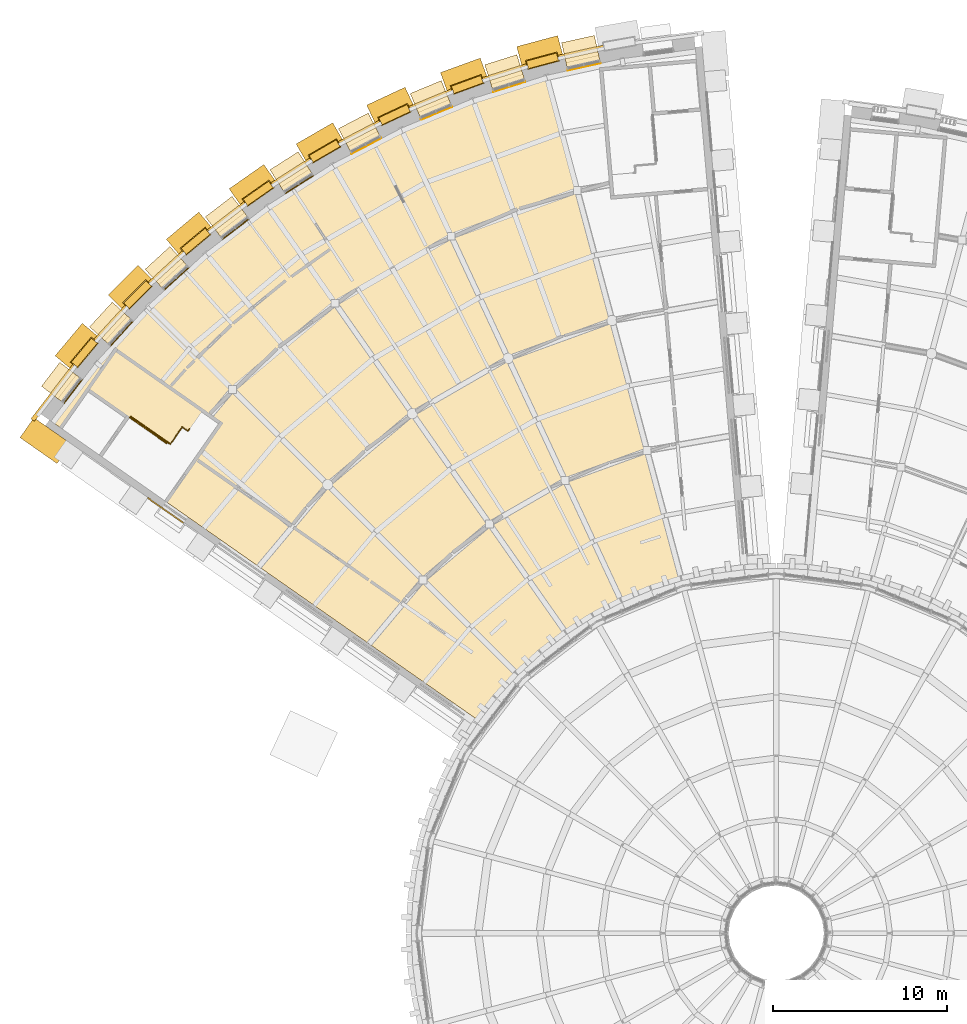
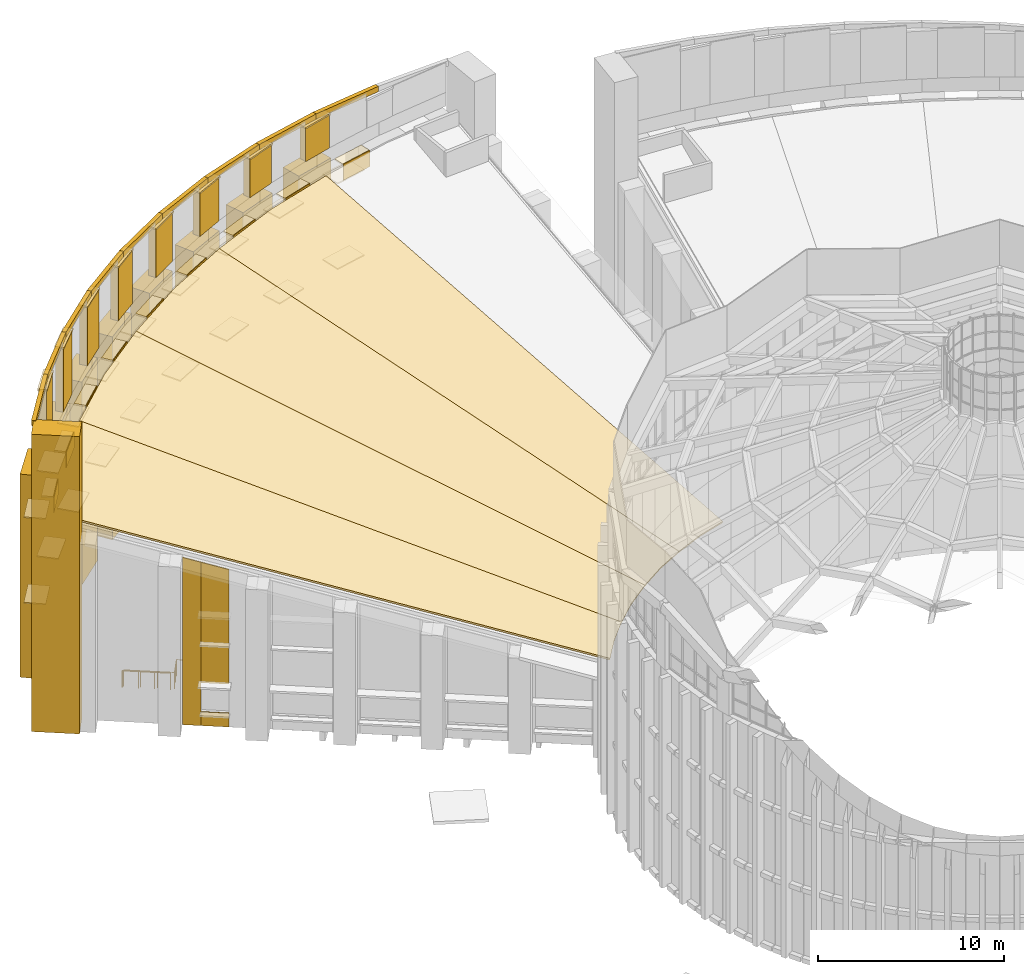
# One storey, part 74 of 82: 77 coverings, 2 railings.
"""IFC4 building model written with IfcOpenShell, lengths in metres."""

from ifc_helpers import new_model, si_unit, direction, frame, origin, origin_2d, place, context, subcontext, project, spatial, polyline, rectangle, circle, outline, extrude, material, layer, layer_set, type_object, element, save


model = new_model("IFC4")

# Units and contexts
model_context = context("Model", 3, precision=1e-05, world=origin(), true_north=direction((0.0, 1.0)))
body_context = subcontext(model_context, "Body", "Model", "MODEL_VIEW")
ifc_project = project(units=[si_unit("LENGTHUNIT", "METRE"), si_unit("AREAUNIT", "SQUARE_METRE"), si_unit("VOLUMEUNIT", "CUBIC_METRE"), si_unit("PLANEANGLEUNIT", "RADIAN"), si_unit("MASSUNIT", "GRAM", prefix="KILO")], contexts=[model_context])

# Site, building, storey
site_placement = place(None, origin())
site = spatial("IfcSite", under=ifc_project, at=site_placement, CompositionType="ELEMENT")
building_placement = place(site_placement, origin())
building = spatial("IfcBuilding", under=site, at=building_placement, Name="Volute Hill Aquarium", CompositionType="ELEMENT")
storey_placement = place(building_placement, frame((0.0, 0.0, 13.800048828125)))
storey = spatial("IfcBuildingStorey", under=building, at=storey_placement, Name="L04", CompositionType="ELEMENT", Elevation=13.800048828125)

# Coverings
ifc_material_1 = material(Name="Precast concrete C40/50", Category="concrete")
covering_type_1 = type_object("IfcCoveringType", Name="Crown coping beam precast concrete C40/50 250x350", PredefinedType="CLADDING", material=ifc_material_1)
covering_1_placement = place(storey_placement, frame((-9.051513671875, 51.30126953125, 16.14990234375), z_axis=(-0.216434350606, 0.976297173958, 0.0), x_axis=(-0.973719670399, -0.215862946403, 0.072616746339)))
element("IfcCovering", 1, at=covering_1_placement, inside=storey, type_object=covering_type_1, Name="Crown coping beam PCB S6 b01", PredefinedType="CLADDING", context=body_context, shape_type="SweptSolid", body=[
    extrude(outline(polyline([(0.0, 0.0), (4.545482159985844, 0.0), (4.570887383985781, 0.348929874027268), (0.025422952697773744, 0.34917337010125776), (0.0, 0.0)])), origin(), (0.0, 0.0, -1.0), 0.25),
])
covering_2_placement = place(storey_placement, frame((-13.488037109375, 50.317138671875, 16.47998046875), z_axis=(-0.300693219018, 0.953720917269, 0.0), x_axis=(-0.951203362836, -0.299899473665, 0.072611763681)))
element("IfcCovering", 2, at=covering_2_placement, inside=storey, type_object=covering_type_1, Name="Crown coping beam PCB S6 b02", PredefinedType="CLADDING", context=body_context, shape_type="SweptSolid", body=[
    extrude(outline(polyline([(0.0, 0.0), (4.545794073396283, 5.551115123125783e-17), (4.571197554195816, 0.3489300009435128), (0.025403480799534067, 0.3489300009435128), (0.0, 0.0)])), origin(), (0.0, 0.0, -1.0), 0.25),
])
covering_3_placement = place(storey_placement, frame((-17.822265625, 48.9501953125, 16.81005859375), z_axis=(-0.382718003155, 0.923865212063, 0.0), x_axis=(-0.921429899992, -0.381709157102, 0.072560724813)))
element("IfcCovering", 3, at=covering_3_placement, inside=storey, type_object=covering_type_1, Name="Crown coping beam PCB S6 b03", PredefinedType="CLADDING", context=body_context, shape_type="SweptSolid", body=[
    extrude(outline(polyline([(0.0, 0.0), (4.545626924562355, 0.0), (4.571030264255131, 0.34917479755016195), (0.025385624672069843, 0.34893130048074067), (0.0, 0.0)])), origin(), (0.0, 0.0, -1.0), 0.25),
])
covering_4_placement = place(storey_placement, frame((-22.0205078125, 47.21044921875, 17.139892578125), z_axis=(-0.461757914823, 0.887005991016, 0.0), x_axis=(-0.884664523762, -0.460538992913, 0.072612095442)))
element("IfcCovering", 4, at=covering_4_placement, inside=storey, type_object=covering_type_1, Name="Crown coping beam PCB S6 b04", PredefinedType="CLADDING", context=body_context, shape_type="SweptSolid", body=[
    extrude(outline(polyline([(0.0, 0.0), (4.545773303873624, 0.0), (4.571194628303379, 0.3491734886499551), (0.025421324429755858, 0.34917348864995507), (0.0, 0.0)])), origin(), (0.0, 0.0, -1.0), 0.25),
])
covering_5_placement = place(storey_placement, frame((-26.051513671875, 45.111572265625, 17.469970703125), z_axis=(-0.537269177916, 0.843410831364, 0.0), x_axis=(-0.841184324254, -0.535850849386, 0.072614047145)))
element("IfcCovering", 5, at=covering_5_placement, inside=storey, type_object=covering_type_1, Name="Crown coping beam PCB S6 b05", PredefinedType="CLADDING", context=body_context, shape_type="SweptSolid", body=[
    extrude(outline(polyline([(0.0, 0.0), (4.545651123662053, 5.551115123125783e-17), (4.57105540333962, 0.34892994278112066), (0.02542200771642101, 0.3491734389030893), (0.0, 0.0)])), origin(), (0.0, 0.0, -1.0), 0.25),
])
covering_6_placement = place(storey_placement, frame((-29.88427734375, 42.66943359375, 17.800048828125), z_axis=(-0.60878647032, 0.79333412479, 0.0), x_axis=(-0.791242875406, -0.607181693352, 0.072561032085)))
element("IfcCovering", 6, at=covering_6_placement, inside=storey, type_object=covering_type_1, Name="Crown coping beam PCB S6 b06", PredefinedType="CLADDING", context=body_context, shape_type="SweptSolid", body=[
    extrude(outline(polyline([(0.0, 0.0), (4.545607675335516, 0.0), (4.57101112260349, 0.34917478972378063), (0.02538573217225082, 0.34893129265981704), (0.0, 0.0)])), origin(), (0.0, 0.0, -1.0), 0.25),
])
covering_7_placement = place(storey_placement, frame((-33.4892578125, 39.90234375, 18.1298828125), z_axis=(-0.675605133066, 0.737263659876, 0.0), x_axis=(-0.735317407392, -0.673821648758, 0.072613332466)))
element("IfcCovering", 7, at=covering_7_placement, inside=storey, type_object=covering_type_1, Name="Crown coping beam PCB S6 b07", PredefinedType="CLADDING", context=body_context, shape_type="SweptSolid", body=[
    extrude(outline(polyline([(0.0, 0.0), (4.545695863137572, 0.0), (4.571117620646472, 0.34917345711966974), (0.02542175750890029, 0.34917345711966974), (0.0, 0.0)])), origin(), (0.0, 0.0, -1.0), 0.25),
])
covering_8_placement = place(storey_placement, frame((-36.83935546875, 36.831787109375, 18.4599609375), z_axis=(-0.737263659876, 0.675605133066, 0.0), x_axis=(-0.673821648758, -0.735317407392, 0.072613332466)))
element("IfcCovering", 8, at=covering_8_placement, inside=storey, type_object=covering_type_1, Name="Crown coping beam PCB S6 b08", PredefinedType="CLADDING", context=body_context, shape_type="SweptSolid", body=[
    extrude(outline(polyline([(0.0, 0.0), (4.545695863137572, 5.551115123125783e-17), (4.571099892782101, 0.34892996098499784), (0.02542175750890029, 0.3491734571196698), (0.0, 0.0)])), origin(), (0.0, 0.0, -1.0), 0.25),
])
covering_9_placement = place(storey_placement, frame((-39.909423828125, 33.48095703125, 18.7900390625), z_axis=(-0.793340768687, 0.608777812292, 0.0), x_axis=(-0.607171626197, -0.791247635716, 0.072593355867)))
element("IfcCovering", 9, at=covering_9_placement, inside=storey, type_object=covering_type_1, Name="Crown coping beam PCB S6 beb", PredefinedType="CLADDING", context=body_context, shape_type="SweptSolid", body=[
    extrude(outline(polyline([(0.0, 0.0), (4.896711906438791, -5.551115123125783e-17), (4.922108947199715, 0.348930469743988), (0.025397040760923258, 0.348930469743988), (0.0, 0.0)])), origin(), (0.0, 0.0, -1.0), 0.25),
])
ifc_material_2 = material(Name="Precast concrete C40/50", Category="concrete")
ifc_layer_1 = layer(ifc_material_2, 0.050048828125)
ifc_layer_set_1 = layer_set([ifc_layer_1], Name="End wall precast infill panel C40/50 50")
covering_type_2 = type_object("IfcCoveringType", Name="End wall precast infill panel C40/50 50", PredefinedType="CLADDING", material=ifc_layer_set_1)
covering_10_placement = place(storey_placement, frame((-34.093017578125, 23.628173828125, 0.0), z_axis=(0.573560650686, 0.819163097304, 0.0), x_axis=(-0.819163097304, 0.573560650686, 0.0)))
element("IfcCovering", 10, at=covering_10_placement, inside=storey, type_object=covering_type_2, Name="End wall panel EWP S6B L04 5", PredefinedType="CLADDING", context=body_context, shape_type="SweptSolid", body=[
    extrude(outline(polyline([(0.0, 0.0), (1.5000184574581061, 0.0), (1.5000184574581061, 0.89990234375), (0.0, 0.89990234375), (0.0, 0.0)])), origin(), (0.0, 0.0, -1.0), 0.050048828125),
])
covering_11_placement = place(storey_placement, frame((-34.093017578125, 23.628173828125, 2.800048828125), z_axis=(0.573560650686, 0.819163097304, 0.0), x_axis=(-0.819163097304, 0.573560650686, 0.0)))
element("IfcCovering", 11, at=covering_11_placement, inside=storey, type_object=covering_type_2, Name="End wall panel EWP S6B L04 5", PredefinedType="CLADDING", context=body_context, shape_type="SweptSolid", body=[
    extrude(outline(polyline([(0.0, 0.0), (1.5000184574581061, 0.0), (1.5000184574581061, 7.892333984374999), (0.0, 7.506835937499999), (0.0, 0.0)])), origin(), (0.0, 0.0, -1.0), 0.050048828125),
])
covering_12_placement = place(storey_placement, frame((-35.32177734375, 24.488525390625, 0.0), z_axis=(0.57352744492, 0.819186346275, 0.0), x_axis=(-0.819186346275, 0.57352744492, 0.0)))
element("IfcCovering", 12, at=covering_12_placement, inside=storey, type_object=covering_type_2, Name="End wall panel EWP S6B L04 5", PredefinedType="CLADDING", context=body_context, shape_type="SweptSolid", body=[
    extrude(outline(polyline([(0.0, 0.0), (1.0067392297248692, 0.0), (1.0067392297248692, 10.951171875), (0.0, 10.6923828125), (0.0, 0.0)])), origin(), (0.0, 0.0, -1.0), 0.050048828125),
])

# Railings
ifc_material_3 = material(Name="Stainless steel 1.4301", Category="steel")
railing_type = type_object("IfcRailingType", Name="Guard 1100 stainless", PredefinedType="GUARDRAIL", material=ifc_material_3)
railing_1_placement = place(storey_placement, frame((-37.206298828125, 29.677734375, 0.0)))
element("IfcRailing", 13, at=railing_1_placement, inside=storey, type_object=railing_type, Name="gd/S6-B/L04/edge", PredefinedType="GUARDRAIL", context=body_context, shape_type="SweptSolid", body=[
    extrude(circle(Radius=0.02392578125, at=origin_2d()), frame((0.0, 0.0, 1.076171875), z_axis=(0.819178980414, -0.573537965655, 0.0), x_axis=(0.573537965655, 0.819178980414, 0.0)), (0.0, 0.0, 1.0), 2.60009765625),
    extrude(circle(Radius=0.02099609375, at=origin_2d()), origin(), (0.0, 0.0, 1.0), 1.052001953125),
    extrude(circle(Radius=0.02099609375, at=origin_2d()), frame((0.7099609375, -0.4970703125, 0.0)), (0.0, 0.0, 1.0), 1.052001953125),
    extrude(circle(Radius=0.02099609375, at=origin_2d()), frame((1.419921875, -0.994140625, 0.0)), (0.0, 0.0, 1.0), 1.052001953125),
    extrude(circle(Radius=0.02099609375, at=origin_2d()), frame((2.1298828125, -1.4912109375, 0.0)), (0.0, 0.0, 1.0), 1.052001953125),
])
railing_2_placement = place(storey_placement, frame((-33.7646484375, 29.013671875, 0.0)))
element("IfcRailing", 14, at=railing_2_placement, inside=storey, type_object=railing_type, Name="gd/S6-B/L04/well", PredefinedType="GUARDRAIL", context=body_context, shape_type="SweptSolid", body=[
    extrude(circle(Radius=0.02392578125, at=origin_2d()), frame((0.0, 0.0, 1.076171875), z_axis=(-0.573353020881, -0.819308436089, 0.0), x_axis=(0.819308436089, -0.573353020881, 0.0)), (0.0, 0.0, 1.0), 0.14990234375),
    extrude(circle(Radius=0.02392578125, at=origin_2d()), frame((-0.0859375, -0.122802734375, 1.076171875), z_axis=(-0.819260578284, 0.573421402522, 0.0), x_axis=(-0.573421402522, -0.819260578284, 0.0)), (0.0, 0.0, 1.0), 0.400146484375),
    extrude(circle(Radius=0.02392578125, at=origin_2d()), frame((-0.413818359375, 0.106689453125, 1.076171875), z_axis=(-0.573475997466, -0.819222363177, 0.0), x_axis=(0.819222363177, -0.573475997466, 0.0)), (0.0, 0.0, 1.0), 1.2001953125),
    extrude(circle(Radius=0.02392578125, at=origin_2d()), frame((-1.10205078125, -0.87646484375, 1.076171875), z_axis=(-0.819144325714, 0.57358745946, 0.0), x_axis=(-0.57358745946, -0.819144325714, 0.0)), (0.0, 0.0, 1.0), 2.75),
    extrude(circle(Radius=0.02099609375, at=origin_2d()), origin(), (0.0, 0.0, 1.0), 1.052001953125),
    extrude(circle(Radius=0.02099609375, at=origin_2d()), frame((-0.0859375, -0.122802734375, 0.0)), (0.0, 0.0, 1.0), 1.052001953125),
    extrude(circle(Radius=0.02099609375, at=origin_2d()), frame((-0.413818359375, 0.106689453125, 0.0)), (0.0, 0.0, 1.0), 1.052001953125),
    extrude(circle(Radius=0.02099609375, at=origin_2d()), frame((-0.7578125, -0.384765625, 0.0)), (0.0, 0.0, 1.0), 1.052001953125),
    extrude(circle(Radius=0.02099609375, at=origin_2d()), frame((-1.10205078125, -0.87646484375, 0.0)), (0.0, 0.0, 1.0), 1.052001953125),
    extrude(circle(Radius=0.02099609375, at=origin_2d()), frame((-1.85302734375, -0.3505859375, 0.0)), (0.0, 0.0, 1.0), 1.052001953125),
    extrude(circle(Radius=0.02099609375, at=origin_2d()), frame((-2.603759765625, 0.175048828125, 0.0)), (0.0, 0.0, 1.0), 1.052001953125),
    extrude(circle(Radius=0.02099609375, at=origin_2d()), frame((-3.354736328125, 0.700927734375, 0.0)), (0.0, 0.0, 1.0), 1.052001953125),
])

# Coverings
ifc_material_4 = material(Name="Aluminium, anodised", Category="aluminium")
ifc_layer_2 = layer(ifc_material_4, 0.080078125)
ifc_layer_set_2 = layer_set([ifc_layer_2], Name="Horizontal brise-soleil eyebrow 1200x80")
covering_type_3 = type_object("IfcCoveringType", Name="Horizontal brise-soleil eyebrow 1200x80", PredefinedType="CLADDING", material=ifc_layer_set_2)
for number, where, z_axis, x_axis, name in (
    (15, (-11.27685546875, 50.865966796875, 11.751220703125), (0.0, 0.0, 1.0), (-0.976298376022, -0.216428928234, 0.0), "Brise-soleil eyebrow BS S6 L04 2.1"),
    (16, (-11.27685546875, 50.865966796875, 6.155517578125), (0.0, 0.0, 1.0), (-0.976298376022, -0.216428928234, 0.0), "Brise-soleil eyebrow BS S6 L04 2.2"),
    (17, (-15.6669921875, 49.689453125, 11.751220703125), (0.0, 0.0, 1.0), (-0.953718003322, -0.300702461147, 0.0), "Brise-soleil eyebrow BS S6 L04 3.1"),
    (18, (-15.6669921875, 49.689453125, 6.155517578125), (0.0, 0.0, 1.0), (-0.953718003322, -0.300702461147, 0.0), "Brise-soleil eyebrow BS S6 L04 3.2"),
    (19, (-19.938232421875, 48.135009765625, 11.751220703125), (0.0, 0.0, 1.0), (-0.923880784882, -0.382680408861, 0.0), "Brise-soleil eyebrow BS S6 L04 4.1"),
    (20, (-19.938232421875, 48.135009765625, 6.155517578125), (0.0, 0.0, 1.0), (-0.923880784882, -0.382680408861, 0.0), "Brise-soleil eyebrow BS S6 L04 4.2"),
    (21, (-24.0576171875, 46.214111328125, 11.751220703125), (0.0, 0.0, 1.0), (-0.887005547579, -0.461758766635, 0.0), "Brise-soleil eyebrow BS S6 L04 5.1"),
    (22, (-24.0576171875, 46.214111328125, 6.155517578125), (0.0, 0.0, 1.0), (-0.887005547579, -0.461758766635, 0.0), "Brise-soleil eyebrow BS S6 L04 5.2"),
    (23, (-27.993896484375, 43.94140625, 11.751220703125), (0.0, 0.0, 1.0), (-0.843395858464, -0.537292681808, 0.0), "Brise-soleil eyebrow BS S6 L04 6.1"),
    (24, (-27.993896484375, 43.94140625, 6.155517578125), (0.0, 0.0, 1.0), (-0.843395858464, -0.537292681808, 0.0), "Brise-soleil eyebrow BS S6 L04 6.2"),
    (25, (-31.717041015625, 41.33447265625, 11.751220703125), (0.0, 0.0, 1.0), (-0.793350035535, -0.608765735827, 0.0), "Brise-soleil eyebrow BS S6 L04 7.1"),
    (26, (-31.717041015625, 41.33447265625, 6.155517578125), (0.0, 0.0, 1.0), (-0.793350035535, -0.608765735827, 0.0), "Brise-soleil eyebrow BS S6 L04 7.2"),
    (27, (-35.198974609375, 38.412841796875, 11.751220703125), (0.0, 0.0, 1.0), (-0.737286116943, -0.675580625657, 0.0), "Brise-soleil eyebrow BS S6 L04 8.1"),
    (28, (-35.198974609375, 38.412841796875, 6.155517578125), (0.0, 0.0, 1.0), (-0.737286116943, -0.675580625657, 0.0), "Brise-soleil eyebrow BS S6 L04 8.2"),
    (29, (-38.412841796875, 35.198974609375, 11.751220703125), (0.0, 0.0, 1.0), (-0.675580625657, -0.737286116943, 0.0), "Brise-soleil eyebrow BS S6 L04 9.1"),
    (30, (-38.412841796875, 35.198974609375, 6.155517578125), (0.0, 0.0, 1.0), (-0.675580625657, -0.737286116943, 0.0), "Brise-soleil eyebrow BS S6 L04 9.2"),
):
    element("IfcCovering", number, at=place(storey_placement, frame(where, z_axis=z_axis, x_axis=x_axis)), inside=storey, type_object=covering_type_3, Name=name, PredefinedType="CLADDING", context=body_context, shape_type="SweptSolid", body=[
        extrude(rectangle(XDim=1.933837890625, YDim=1.199951171875, at=origin_2d()), origin(), (0.0, 0.0, 1.0), 0.080078125),
    ])
for number, where, z_axis, x_axis, name in (
    (31, (-41.2734375, 31.79638671875, 11.75341796875), (0.0, 0.0, 1.0), (-0.608765735827, -0.793350035535, 0.0), "Brise-soleil eyebrow BS S6 L04 10.1"),
    (32, (-41.2734375, 31.79638671875, 6.15673828125), (0.0, 0.0, 1.0), (-0.608765735827, -0.793350035535, 0.0), "Brise-soleil eyebrow BS S6 L04 10.2"),
):
    element("IfcCovering", number, at=place(storey_placement, frame(where, z_axis=z_axis, x_axis=x_axis)), inside=storey, type_object=covering_type_3, Name=name, PredefinedType="CLADDING", context=body_context, shape_type="SweptSolid", body=[
        extrude(rectangle(XDim=1.733642578125, YDim=1.199951171875, at=origin_2d()), origin(), (0.0, 0.0, 1.0), 0.080078125),
    ])
ifc_material_5 = material(Name="Precast concrete C40/50", Category="concrete")
ifc_layer_3 = layer(ifc_material_5, 0.10009765625)
ifc_layer_set_3 = layer_set([ifc_layer_3], Name="Niche cap precast concrete C40/50 100")
covering_type_4 = type_object("IfcCoveringType", Name="Niche cap precast concrete C40/50 100", PredefinedType="CLADDING", material=ifc_layer_set_3)
for number, where, z_axis, x_axis, name in (
    (33, (-11.130615234375, 50.20703125, 13.199951171875), (0.0, 0.0, 1.0), (-0.976298376022, -0.216428928234, 0.0), "Niche cap NC S6 L04 2"),
    (34, (-15.464111328125, 49.0458984375, 13.199951171875), (0.0, 0.0, 1.0), (-0.953718003322, -0.300702461147, 0.0), "Niche cap NC S6 L04 3"),
    (35, (-19.679931640625, 47.511474609375, 13.199951171875), (0.0, 0.0, 1.0), (-0.923880784882, -0.382680408861, 0.0), "Niche cap NC S6 L04 4"),
    (36, (-23.745849609375, 45.615478515625, 13.199951171875), (0.0, 0.0, 1.0), (-0.887005547579, -0.461758766635, 0.0), "Niche cap NC S6 L04 5"),
    (37, (-27.631103515625, 43.372314453125, 13.199951171875), (0.0, 0.0, 1.0), (-0.843395858464, -0.537292681808, 0.0), "Niche cap NC S6 L04 6"),
    (38, (-31.30615234375, 40.798828125, 13.199951171875), (0.0, 0.0, 1.0), (-0.793350035535, -0.608765735827, 0.0), "Niche cap NC S6 L04 7"),
    (39, (-34.742919921875, 37.915283203125, 13.199951171875), (0.0, 0.0, 1.0), (-0.737286116943, -0.675580625657, 0.0), "Niche cap NC S6 L04 8"),
    (40, (-37.915283203125, 34.742919921875, 13.199951171875), (0.0, 0.0, 1.0), (-0.675580625657, -0.737286116943, 0.0), "Niche cap NC S6 L04 9"),
):
    element("IfcCovering", number, at=place(storey_placement, frame(where, z_axis=z_axis, x_axis=x_axis)), inside=storey, type_object=covering_type_4, Name=name, PredefinedType="CLADDING", context=body_context, shape_type="SweptSolid", body=[
        extrude(rectangle(XDim=1.933837890625, YDim=0.64990234375, at=origin_2d()), origin(), (0.0, 0.0, 1.0), 0.10009765625),
    ])
covering_13_placement = place(storey_placement, frame((-40.738037109375, 31.385498046875, 13.199951171875), z_axis=(0.0, 0.0, 1.0), x_axis=(-0.608765735827, -0.793350035535, 0.0)))
element("IfcCovering", 41, at=covering_13_placement, inside=storey, type_object=covering_type_4, Name="Niche cap NC S6 L04 10", PredefinedType="CLADDING", context=body_context, shape_type="SweptSolid", body=[
    extrude(rectangle(XDim=1.733642578125, YDim=0.64990234375, at=origin_2d()), origin(), (0.0, 0.0, 1.0), 0.10009765625),
])
ifc_material_6 = material(Name="Zinc")
ifc_layer_4 = layer(ifc_material_6, 0.050048828125)
ifc_layer_set_4 = layer_set([ifc_layer_4], Name="Niche head cladding panel 50")
covering_type_5 = type_object("IfcCoveringType", Name="Niche head cladding panel 50", PredefinedType="CLADDING", material=ifc_layer_set_4)
for number, where, z_axis, x_axis, name in (
    (42, (-11.054931640625, 49.865234375, 12.241455078125), (0.0, 0.0, 1.0), (-0.976298376022, -0.216428928234, 0.0), "Niche head cladding NF S6 L04 2"),
    (43, (-15.35888671875, 48.7119140625, 12.241455078125), (0.0, 0.0, 1.0), (-0.953718003322, -0.300702461147, 0.0), "Niche head cladding NF S6 L04 3"),
    (44, (-19.5458984375, 47.18798828125, 12.241455078125), (0.0, 0.0, 1.0), (-0.923880784882, -0.382680408861, 0.0), "Niche head cladding NF S6 L04 4"),
    (45, (-23.584228515625, 45.304931640625, 12.241455078125), (0.0, 0.0, 1.0), (-0.887005547579, -0.461758766635, 0.0), "Niche head cladding NF S6 L04 5"),
    (46, (-27.443115234375, 43.076904296875, 12.241455078125), (0.0, 0.0, 1.0), (-0.843395858464, -0.537292681808, 0.0), "Niche head cladding NF S6 L04 6"),
    (47, (-31.093017578125, 40.521240234375, 12.241455078125), (0.0, 0.0, 1.0), (-0.793350035535, -0.608765735827, 0.0), "Niche head cladding NF S6 L04 7"),
    (48, (-34.50634765625, 37.6572265625, 12.241455078125), (0.0, 0.0, 1.0), (-0.737286116943, -0.675580625657, 0.0), "Niche head cladding NF S6 L04 8"),
    (49, (-37.6572265625, 34.50634765625, 12.241455078125), (0.0, 0.0, 1.0), (-0.675580625657, -0.737286116943, 0.0), "Niche head cladding NF S6 L04 9"),
):
    element("IfcCovering", number, at=place(storey_placement, frame(where, z_axis=z_axis, x_axis=x_axis)), inside=storey, type_object=covering_type_5, Name=name, PredefinedType="CLADDING", context=body_context, shape_type="SweptSolid", body=[
        extrude(rectangle(XDim=1.933837890625, YDim=0.050048828125, at=origin_2d()), origin(), (0.0, 0.0, 1.0), 1.05859375),
    ])
covering_14_placement = place(storey_placement, frame((-40.46044921875, 31.17236328125, 12.24365234375), z_axis=(0.0, 0.0, 1.0), x_axis=(-0.608765735827, -0.793350035535, 0.0)))
element("IfcCovering", 50, at=covering_14_placement, inside=storey, type_object=covering_type_5, Name="Niche head cladding NF S6 L04 10", PredefinedType="CLADDING", context=body_context, shape_type="SweptSolid", body=[
    extrude(rectangle(XDim=1.733642578125, YDim=0.050048828125, at=origin_2d()), origin(), (0.0, 0.0, 1.0), 1.056396484375),
])
ifc_material_7 = material(Name="Photovoltaic modules")
ifc_layer_5 = layer(ifc_material_7, 0.1201171875)
ifc_layer_set_5 = layer_set([ifc_layer_5], Name="Photovoltaic roofing array 120")
covering_type_6 = type_object("IfcCoveringType", Name="Photovoltaic roofing array 120", PredefinedType="ROOFING", material=ifc_layer_set_5)
covering_15_placement = place(storey_placement, frame((-13.2255859375, 49.3583984375, 13.161865234375), z_axis=(0.085461952899, -0.234809230123, 0.968277274367), x_axis=(-0.953652843527, -0.300698629761, 0.011251137387)))
element("IfcCovering", 51, at=covering_15_placement, inside=storey, type_object=covering_type_6, Name="Photovoltaic roof RF S6 2", PredefinedType="ROOFING", context=body_context, shape_type="SweptSolid", body=[
    extrude(outline(polyline([(0.0, 0.0), (4.458096808471823, -1.6306400674181987e-16), (8.898230368564729, 0.4010362584167795), (4.882954547022514, 31.218960010628123), (3.0582415139318617, 31.05422187110693), (1.2262168795743118, 31.05411603056456), (0.0, 0.0)])), origin(), (0.0, 0.0, -1.0), 0.1201171875),
])
covering_16_placement = place(storey_placement, frame((-21.595703125, 46.31201171875, 13.161865234375), z_axis=(0.124939749747, -0.216400757979, 0.96827721799), x_axis=(-0.886938616336, -0.461750347126, 0.011247567791)))
element("IfcCovering", 52, at=covering_16_placement, inside=storey, type_object=covering_type_6, Name="Photovoltaic roof RF S6 3", PredefinedType="ROOFING", context=body_context, shape_type="SweptSolid", body=[
    extrude(outline(polyline([(0.0, 0.0), (4.458167420924632, 9.71445146547012e-17), (8.89818416846228, 0.40091987906763515), (4.883715208907344, 31.21895967820864), (3.058945712047041, 31.05409892704199), (1.2268206079490325, 31.054174848394528), (0.0, 0.0)])), origin(), (0.0, 0.0, -1.0), 0.1201171875),
])
covering_17_placement = place(storey_placement, frame((-29.3095703125, 41.8583984375, 13.161865234375), z_axis=(0.160623315707, -0.191413114096, 0.968277424194), x_axis=(-0.793293328672, -0.608735524465, 0.011258593982)))
element("IfcCovering", 53, at=covering_17_placement, inside=storey, type_object=covering_type_6, Name="Photovoltaic roof RF S6 4", PredefinedType="ROOFING", context=body_context, shape_type="SweptSolid", body=[
    extrude(outline(polyline([(0.0, 0.0), (4.45817151353984, -2.498001805406602e-16), (8.89820006579232, 0.4012528700569211), (4.883009296410003, 31.21921031599832), (3.058343568196105, 31.054166618714714), (1.2262791048586081, 31.054207084559046), (0.0, 0.0)])), origin(), (0.0, 0.0, -1.0), 0.1201171875),
])
covering_18_placement = place(storey_placement, frame((-16.0869140625, 13.49853515625, 5.444580078125), z_axis=(0.191424743032, -0.160611801143, 0.9682770353), x_axis=(0.675616126449, 0.737167134585, -0.01129005622)))
element("IfcCovering", 54, at=covering_18_placement, inside=storey, type_object=covering_type_6, Name="Photovoltaic roof RF S6 5", PredefinedType="ROOFING", context=body_context, shape_type="SweptSolid", body=[
    extrude(outline(polyline([(0.0, 0.0), (1.83211474716812, -1.726049858596923e-16), (3.054784536082612, 31.054360992313022), (-1.4033380843379302, 31.05400819336957), (-5.643956351301927, 30.670255022322976), (-1.6253469943734544, -0.14711112368808196), (0.0, 0.0)])), origin(), (0.0, 0.0, -1.0), 0.1201171875),
])
ifc_material_8 = material(Name="Precast concrete C40/50", Category="concrete")
ifc_layer_6 = layer(ifc_material_8, 0.1201171875)
ifc_layer_set_6 = layer_set([ifc_layer_6], Name="Pier crown coping precast concrete C40/50 1894x550")
covering_type_7 = type_object("IfcCoveringType", Name="Pier crown coping precast concrete C40/50 1894x550", PredefinedType="CLADDING", material=ifc_layer_set_6)
for number, where, z_axis, x_axis, name in (
    (55, (-13.450439453125, 50.197998046875, 16.35986328125), (0.0, 0.0, 1.0), (-0.965925826289, -0.258819045103, 0.0), "Pier crown coping PCC S6 2"),
    (56, (-17.7744140625, 48.834716796875, 16.68994140625), (0.0, 0.0, 1.0), (-0.939692620786, -0.342020143326, 0.0), "Pier crown coping PCC S6 3"),
    (57, (-21.962890625, 47.099609375, 17.019775390625), (0.0, 0.0, 1.0), (-0.906307787037, -0.422618261741, 0.0), "Pier crown coping PCC S6 4"),
    (58, (-25.984375, 45.006103515625, 17.349853515625), (0.0, 0.0, 1.0), (-0.866025403784, -0.5, 0.0), "Pier crown coping PCC S6 5"),
    (59, (-29.80810546875, 42.5703125, 17.679931640625), (0.0, 0.0, 1.0), (-0.819152044289, -0.573576436351, 0.0), "Pier crown coping PCC S6 6"),
    (60, (-33.40478515625, 39.810302734375, 18.010009765625), (0.0, 0.0, 1.0), (-0.766044443119, -0.642787609687, 0.0), "Pier crown coping PCC S6 7"),
    (61, (-36.747314453125, 36.747314453125, 18.33984375), (0.0, 0.0, 1.0), (-0.707106781187, -0.707106781187, 0.0), "Pier crown coping PCC S6 8"),
    (62, (-39.810302734375, 33.40478515625, 18.669921875), (0.0, 0.0, 1.0), (-0.642787609687, -0.766044443119, 0.0), "Pier crown coping PCC S6 9"),
):
    element("IfcCovering", number, at=place(storey_placement, frame(where, z_axis=z_axis, x_axis=x_axis)), inside=storey, type_object=covering_type_7, Name=name, PredefinedType="CLADDING", context=body_context, shape_type="SweptSolid", body=[
        extrude(rectangle(XDim=1.894287109375, YDim=0.550048828125, at=origin_2d()), origin(), (0.0, 0.0, 1.0), 0.1201171875),
    ])
ifc_material_9 = material(Name="Precast concrete C40/50", Category="concrete")
covering_type_8 = type_object("IfcCoveringType", Name="Pier crown fin precast concrete C40/50 1794x450", PredefinedType="CLADDING", material=ifc_material_9)
covering_19_placement = place(storey_placement, frame((-13.450439453125, 50.197998046875, 14.2001953125), z_axis=(0.0, 0.0, 1.0), x_axis=(-0.965925826289, -0.258819045103, 0.0)))
element("IfcCovering", 63, at=covering_19_placement, inside=storey, type_object=covering_type_8, Name="Pier crown fin PC S6 2", PredefinedType="CLADDING", context=body_context, shape_type="SweptSolid", body=[
    extrude(rectangle(XDim=1.79443359375, YDim=0.449951171875, at=origin_2d()), origin(), (0.0, 0.0, 1.0), 2.159912109375),
])
covering_20_placement = place(storey_placement, frame((-17.7744140625, 48.834716796875, 14.2001953125), z_axis=(0.0, 0.0, 1.0), x_axis=(-0.939692620786, -0.342020143326, 0.0)))
element("IfcCovering", 64, at=covering_20_placement, inside=storey, type_object=covering_type_8, Name="Pier crown fin PC S6 3", PredefinedType="CLADDING", context=body_context, shape_type="SweptSolid", body=[
    extrude(rectangle(XDim=1.79443359375, YDim=0.449951171875, at=origin_2d()), origin(), (0.0, 0.0, 1.0), 2.489990234375),
])
covering_21_placement = place(storey_placement, frame((-21.962890625, 47.099609375, 14.19970703125), z_axis=(0.0, 0.0, 1.0), x_axis=(-0.906307787037, -0.422618261741, 0.0)))
element("IfcCovering", 65, at=covering_21_placement, inside=storey, type_object=covering_type_8, Name="Pier crown fin PC S6 4", PredefinedType="CLADDING", context=body_context, shape_type="SweptSolid", body=[
    extrude(rectangle(XDim=1.79443359375, YDim=0.449951171875, at=origin_2d()), origin(), (0.0, 0.0, 1.0), 2.820068359375),
])
covering_22_placement = place(storey_placement, frame((-25.984375, 45.006103515625, 14.199951171875), z_axis=(0.0, 0.0, 1.0), x_axis=(-0.866025403784, -0.5, 0.0)))
element("IfcCovering", 66, at=covering_22_placement, inside=storey, type_object=covering_type_8, Name="Pier crown fin PC S6 5", PredefinedType="CLADDING", context=body_context, shape_type="SweptSolid", body=[
    extrude(rectangle(XDim=1.79443359375, YDim=0.449951171875, at=origin_2d()), origin(), (0.0, 0.0, 1.0), 3.14990234375),
])
covering_23_placement = place(storey_placement, frame((-29.80810546875, 42.5703125, 14.199951171875), z_axis=(0.0, 0.0, 1.0), x_axis=(-0.819152044289, -0.573576436351, 0.0)))
element("IfcCovering", 67, at=covering_23_placement, inside=storey, type_object=covering_type_8, Name="Pier crown fin PC S6 6", PredefinedType="CLADDING", context=body_context, shape_type="SweptSolid", body=[
    extrude(rectangle(XDim=1.79443359375, YDim=0.449951171875, at=origin_2d()), origin(), (0.0, 0.0, 1.0), 3.47998046875),
])
covering_24_placement = place(storey_placement, frame((-33.40478515625, 39.810302734375, 14.199951171875), z_axis=(0.0, 0.0, 1.0), x_axis=(-0.766044443119, -0.642787609687, 0.0)))
element("IfcCovering", 68, at=covering_24_placement, inside=storey, type_object=covering_type_8, Name="Pier crown fin PC S6 7", PredefinedType="CLADDING", context=body_context, shape_type="SweptSolid", body=[
    extrude(rectangle(XDim=1.79443359375, YDim=0.449951171875, at=origin_2d()), origin(), (0.0, 0.0, 1.0), 3.81005859375),
])
covering_25_placement = place(storey_placement, frame((-36.747314453125, 36.747314453125, 14.2001953125), z_axis=(0.0, 0.0, 1.0), x_axis=(-0.707106781187, -0.707106781187, 0.0)))
element("IfcCovering", 69, at=covering_25_placement, inside=storey, type_object=covering_type_8, Name="Pier crown fin PC S6 8", PredefinedType="CLADDING", context=body_context, shape_type="SweptSolid", body=[
    extrude(rectangle(XDim=1.79443359375, YDim=0.449951171875, at=origin_2d()), origin(), (0.0, 0.0, 1.0), 4.139892578125),
])
covering_26_placement = place(storey_placement, frame((-39.810302734375, 33.40478515625, 14.2001953125), z_axis=(0.0, 0.0, 1.0), x_axis=(-0.642787609687, -0.766044443119, 0.0)))
element("IfcCovering", 70, at=covering_26_placement, inside=storey, type_object=covering_type_8, Name="Pier crown fin PC S6 9", PredefinedType="CLADDING", context=body_context, shape_type="SweptSolid", body=[
    extrude(rectangle(XDim=1.79443359375, YDim=0.449951171875, at=origin_2d()), origin(), (0.0, 0.0, 1.0), 4.469970703125),
])
ifc_material_10 = material(Name="Precast concrete C40/50", Category="concrete")
covering_type_9 = type_object("IfcCoveringType", Name="Projecting pier precast concrete C40/50 2435x1200", PredefinedType="CLADDING", material=ifc_material_10)
for number, where, z_axis, x_axis, name in (
    (71, (-13.599365234375, 50.75341796875, 0.0), (0.0, 0.0, 1.0), (-0.965925826289, -0.258819045103, 0.0), "Projecting pier PP S6 L04 2"),
    (72, (-17.970947265625, 49.375, 0.0), (0.0, 0.0, 1.0), (-0.939692620786, -0.342020143326, 0.0), "Projecting pier PP S6 L04 3"),
    (73, (-22.205810546875, 47.620849609375, 0.0), (0.0, 0.0, 1.0), (-0.906307787037, -0.422618261741, 0.0), "Projecting pier PP S6 L04 4"),
    (74, (-26.271728515625, 45.504150390625, 0.0), (0.0, 0.0, 1.0), (-0.866025403784, -0.5, 0.0), "Projecting pier PP S6 L04 5"),
    (75, (-30.1376953125, 43.041259765625, 0.0), (0.0, 0.0, 1.0), (-0.819152044289, -0.573576436351, 0.0), "Projecting pier PP S6 L04 6"),
    (76, (-33.7744140625, 40.250732421875, 0.0), (0.0, 0.0, 1.0), (-0.766044443119, -0.642787609687, 0.0), "Projecting pier PP S6 L04 7"),
    (77, (-37.154052734375, 37.154052734375, 0.0), (0.0, 0.0, 1.0), (-0.707106781187, -0.707106781187, 0.0), "Projecting pier PP S6 L04 8"),
    (78, (-40.250732421875, 33.7744140625, 0.0), (0.0, 0.0, 1.0), (-0.642787609687, -0.766044443119, 0.0), "Projecting pier PP S6 L04 9"),
):
    element("IfcCovering", number, at=place(storey_placement, frame(where, z_axis=z_axis, x_axis=x_axis)), inside=storey, type_object=covering_type_9, Name=name, PredefinedType="CLADDING", context=body_context, shape_type="SweptSolid", body=[
        extrude(rectangle(XDim=2.435302734375, YDim=1.199951171875, at=origin_2d()), origin(), (0.0, 0.0, 1.0), 13.300048828125),
    ])
ifc_material_11 = material(Name="Precast concrete C40/50", Category="concrete")
covering_type_10 = type_object("IfcCoveringType", Name="Step pylon precast concrete C40/50 1400x2600", PredefinedType="CLADDING", material=ifc_material_11)
covering_27_placement = place(storey_placement, frame((-42.047119140625, 28.343017578125, 0.0), z_axis=(0.0, 0.0, 1.0), x_axis=(-0.819152044289, 0.573576436351, 0.0)))
element("IfcCovering", 79, at=covering_27_placement, inside=storey, type_object=covering_type_10, Name="Step pylon SPY S6B L04", PredefinedType="CLADDING", context=body_context, shape_type="SweptSolid", body=[
    extrude(rectangle(XDim=2.60009765625, YDim=1.39990234375, at=origin_2d()), origin(), (0.0, 0.0, 1.0), 19.469970703125),
])

save(model, "model.ifc")
